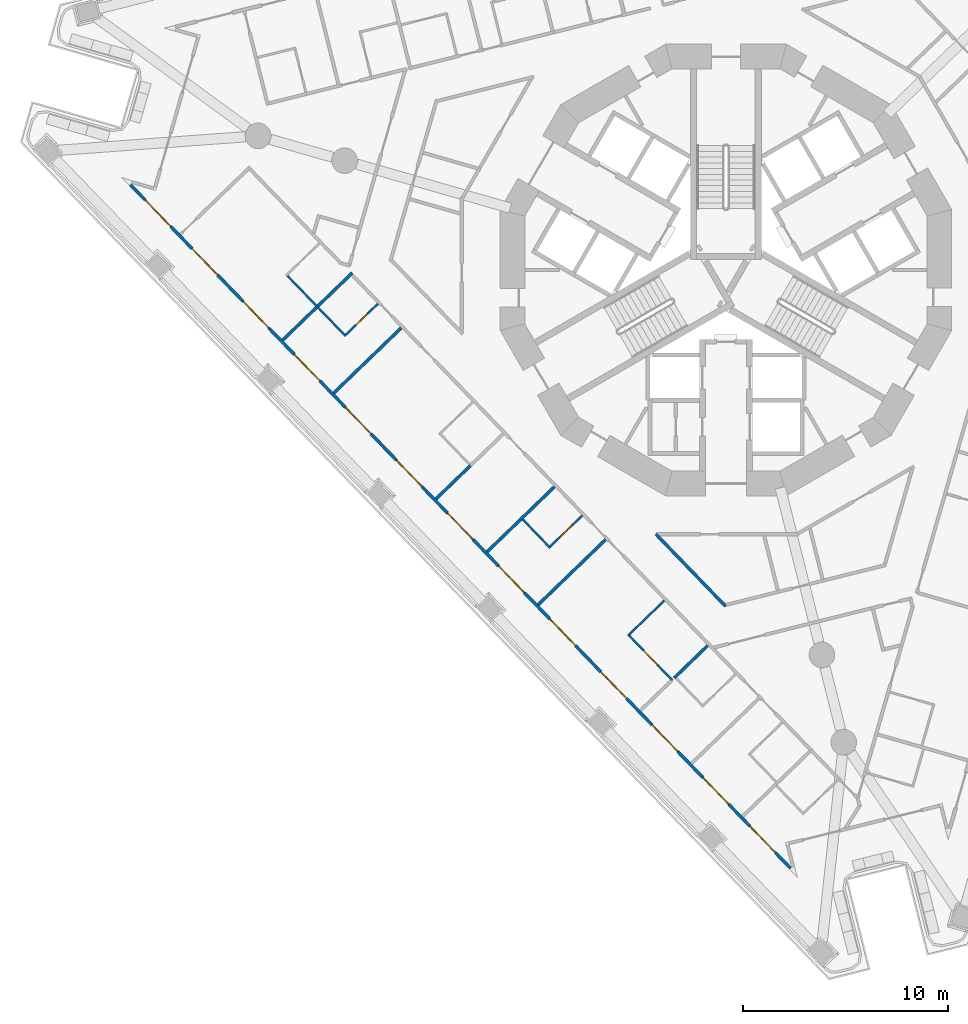
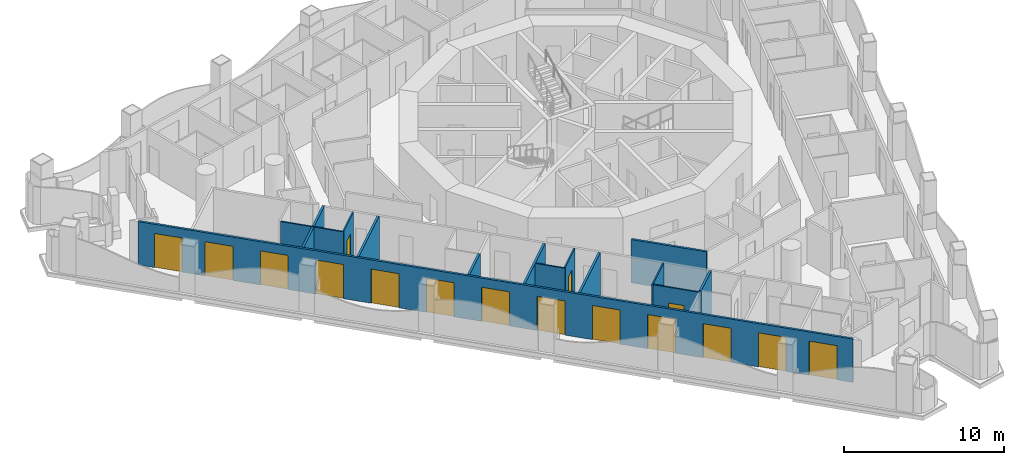
# One storey, part 2 of 20: 16 doors, 14 walls, 16 openings.
"""IFC4 building model written with IfcOpenShell, lengths in metres."""

from ifc_helpers import new_model, si_unit, direction, frame, frame_2d, origin, place, context, subcontext, project, spatial, polyline, rectangle, outline, extrude, material, layer, layer_set, type_object, element, fill, save


model = new_model("IFC4")

# Units and contexts
model_context = context("Model", 3, precision=1e-05, world=origin(), true_north=direction((0.0, 1.0)))
body_context = subcontext(model_context, "Body", "Model", "MODEL_VIEW")
ifc_project = project(units=[si_unit("LENGTHUNIT", "METRE"), si_unit("AREAUNIT", "SQUARE_METRE"), si_unit("VOLUMEUNIT", "CUBIC_METRE"), si_unit("PLANEANGLEUNIT", "RADIAN"), si_unit("MASSUNIT", "GRAM", prefix="KILO")], contexts=[model_context])

# Site, building, storey
site_placement = place(None, origin())
site = spatial("IfcSite", under=ifc_project, at=site_placement, CompositionType="ELEMENT")
building_placement = place(site_placement, origin())
building = spatial("IfcBuilding", under=site, at=building_placement, Name="Trine Commons Tower", CompositionType="ELEMENT")
storey_placement = place(building_placement, frame((0.0, 0.0, 108.89990234375)))
storey = spatial("IfcBuildingStorey", under=building, at=storey_placement, Name="L27", CompositionType="ELEMENT", Elevation=108.89990234375)

# Wall, openings, doors
ifc_material_1 = material(Name="Aluminium-framed insulated wall panel", Category="aluminium")
ifc_layer_1 = layer(ifc_material_1, 0.14990234375)
ifc_layer_set_1 = layer_set([ifc_layer_1], Name="Aluminium-framed insulated wall panel")
wall_type_1 = type_object("IfcWallType", Name="Glazed frame wall 150, EI 60", PredefinedType="SOLIDWALL", material=ifc_layer_set_1)
wall_1_placement = place(storey_placement, frame((83.25048828125, 33.21630859375, 0.0), z_axis=(0.0, 0.0, 1.0), x_axis=(-0.69466017463, 0.719338058067, 0.0)))
wall_1 = element("IfcWall", 1, at=wall_1_placement, inside=storey, type_object=wall_type_1, Name="Glazed frame wall F3", PredefinedType="SOLIDWALL", context=body_context, shape_type="SweptSolid", body=[
    extrude(outline(polyline([(0.1494140625, 0.074951171875), (0.1494140625, -0.074951171875), (46.496826171875, -0.074951171875), (46.496826171875, 0.074951171875), (0.1494140625, 0.074951171875)])), origin(), (0.0, 0.0, 1.0), 3.300048828125),
])
opening_1_placement = place(wall_1_placement, frame((1.194091796875, 0.0, 0.0)))
opening_1 = element("IfcOpeningElement", 2, at=opening_1_placement, cuts=wall_1, Name="Opening BD-3F3-01", PredefinedType="OPENING", context=body_context, shape_type="SweptSolid", body=[
    extrude(rectangle(XDim=1.800048828125, YDim=2.60009765625, at=frame_2d((0.89990234375, 1.300048828125))), frame((0.0, 0.0849609375, 0.0), z_axis=(0.0, -1.0, 0.0), x_axis=(1.0, 0.0, 0.0)), (0.0, 0.0, 1.0), 0.169921875),
])
opening_2_placement = place(wall_1_placement, frame((4.482421875, 0.0, 0.0)))
opening_2 = element("IfcOpeningElement", 3, at=opening_2_placement, cuts=wall_1, Name="Opening BD-3F3-02", PredefinedType="OPENING", context=body_context, shape_type="SweptSolid", body=[
    extrude(rectangle(XDim=1.800048828125, YDim=2.60009765625, at=frame_2d((0.89990234375, 1.300048828125))), frame((0.0, 0.0849609375, 0.0), z_axis=(0.0, -1.0, 0.0), x_axis=(1.0, 0.0, 0.0)), (0.0, 0.0, 1.0), 0.169921875),
])
opening_3_placement = place(wall_1_placement, frame((8.070556640625, 0.0, 0.0)))
opening_3 = element("IfcOpeningElement", 4, at=opening_3_placement, cuts=wall_1, Name="Opening BD-3F3-03", PredefinedType="OPENING", context=body_context, shape_type="SweptSolid", body=[
    extrude(rectangle(XDim=1.800048828125, YDim=2.60009765625, at=frame_2d((0.89990234375, 1.300048828125))), frame((0.0, 0.0849609375, 0.0), z_axis=(0.0, -1.0, 0.0), x_axis=(1.0, 0.0, 0.0)), (0.0, 0.0, 1.0), 0.169921875),
])
opening_4_placement = place(wall_1_placement, frame((11.65869140625, 0.0, 0.0)))
opening_4 = element("IfcOpeningElement", 5, at=opening_4_placement, cuts=wall_1, Name="Opening BD-3F3-04", PredefinedType="OPENING", context=body_context, shape_type="SweptSolid", body=[
    extrude(rectangle(XDim=1.800048828125, YDim=2.60009765625, at=frame_2d((0.89990234375, 1.300048828125))), frame((0.0, 0.0849609375, 0.0), z_axis=(0.0, -1.0, 0.0), x_axis=(1.0, 0.0, 0.0)), (0.0, 0.0, 1.0), 0.169921875),
])
opening_5_placement = place(wall_1_placement, frame((15.246826171875, 0.0, 0.0)))
opening_5 = element("IfcOpeningElement", 6, at=opening_5_placement, cuts=wall_1, Name="Opening BD-3F3-05", PredefinedType="OPENING", context=body_context, shape_type="SweptSolid", body=[
    extrude(rectangle(XDim=1.800048828125, YDim=2.60009765625, at=frame_2d((0.89990234375, 1.300048828125))), frame((0.0, 0.0849609375, 0.0), z_axis=(0.0, -1.0, 0.0), x_axis=(1.0, 0.0, 0.0)), (0.0, 0.0, 1.0), 0.169921875),
])
opening_6_placement = place(wall_1_placement, frame((18.835205078125, 0.0, 0.0)))
opening_6 = element("IfcOpeningElement", 7, at=opening_6_placement, cuts=wall_1, Name="Opening BD-3F3-06", PredefinedType="OPENING", context=body_context, shape_type="SweptSolid", body=[
    extrude(rectangle(XDim=1.800048828125, YDim=2.60009765625, at=frame_2d((0.89990234375, 1.300048828125))), frame((0.0, 0.0849609375, 0.0), z_axis=(0.0, -1.0, 0.0), x_axis=(1.0, 0.0, 0.0)), (0.0, 0.0, 1.0), 0.169921875),
])
opening_7_placement = place(wall_1_placement, frame((22.42333984375, 0.0, 0.0)))
opening_7 = element("IfcOpeningElement", 8, at=opening_7_placement, cuts=wall_1, Name="Opening BD-3F3-07", PredefinedType="OPENING", context=body_context, shape_type="SweptSolid", body=[
    extrude(rectangle(XDim=1.800048828125, YDim=2.60009765625, at=frame_2d((0.89990234375, 1.300048828125))), frame((0.0, 0.0849609375, 0.0), z_axis=(0.0, -1.0, 0.0), x_axis=(1.0, 0.0, 0.0)), (0.0, 0.0, 1.0), 0.169921875),
])
opening_8_placement = place(wall_1_placement, frame((26.011474609375, 0.0, 0.0)))
opening_8 = element("IfcOpeningElement", 9, at=opening_8_placement, cuts=wall_1, Name="Opening BD-3F3-08", PredefinedType="OPENING", context=body_context, shape_type="SweptSolid", body=[
    extrude(rectangle(XDim=1.800048828125, YDim=2.60009765625, at=frame_2d((0.89990234375, 1.300048828125))), frame((0.0, 0.0849609375, 0.0), z_axis=(0.0, -1.0, 0.0), x_axis=(1.0, 0.0, 0.0)), (0.0, 0.0, 1.0), 0.169921875),
])
opening_9_placement = place(wall_1_placement, frame((29.599609375, 0.0, 0.0)))
opening_9 = element("IfcOpeningElement", 10, at=opening_9_placement, cuts=wall_1, Name="Opening BD-3F3-09", PredefinedType="OPENING", context=body_context, shape_type="SweptSolid", body=[
    extrude(rectangle(XDim=1.800048828125, YDim=2.60009765625, at=frame_2d((0.89990234375, 1.300048828125))), frame((0.0, 0.0849609375, 0.0), z_axis=(0.0, -1.0, 0.0), x_axis=(1.0, 0.0, 0.0)), (0.0, 0.0, 1.0), 0.169921875),
])
opening_10_placement = place(wall_1_placement, frame((33.18798828125, 0.0, 0.0)))
opening_10 = element("IfcOpeningElement", 11, at=opening_10_placement, cuts=wall_1, Name="Opening BD-3F3-10", PredefinedType="OPENING", context=body_context, shape_type="SweptSolid", body=[
    extrude(rectangle(XDim=1.800048828125, YDim=2.60009765625, at=frame_2d((0.89990234375, 1.300048828125))), frame((0.0, 0.0849609375, 0.0), z_axis=(0.0, -1.0, 0.0), x_axis=(1.0, 0.0, 0.0)), (0.0, 0.0, 1.0), 0.169921875),
])
opening_11_placement = place(wall_1_placement, frame((36.776123046875, 0.0, 0.0)))
opening_11 = element("IfcOpeningElement", 12, at=opening_11_placement, cuts=wall_1, Name="Opening BD-3F3-11", PredefinedType="OPENING", context=body_context, shape_type="SweptSolid", body=[
    extrude(rectangle(XDim=1.800048828125, YDim=2.60009765625, at=frame_2d((0.89990234375, 1.300048828125))), frame((0.0, 0.0849609375, 0.0), z_axis=(0.0, -1.0, 0.0), x_axis=(1.0, 0.0, 0.0)), (0.0, 0.0, 1.0), 0.169921875),
])
opening_12_placement = place(wall_1_placement, frame((40.3642578125, 0.0, 0.0)))
opening_12 = element("IfcOpeningElement", 13, at=opening_12_placement, cuts=wall_1, Name="Opening BD-3F3-12", PredefinedType="OPENING", context=body_context, shape_type="SweptSolid", body=[
    extrude(rectangle(XDim=1.800048828125, YDim=2.60009765625, at=frame_2d((0.89990234375, 1.300048828125))), frame((0.0, 0.0849609375, 0.0), z_axis=(0.0, -1.0, 0.0), x_axis=(1.0, 0.0, 0.0)), (0.0, 0.0, 1.0), 0.169921875),
])
opening_13_placement = place(wall_1_placement, frame((43.652587890625, 0.0, 0.0)))
opening_13 = element("IfcOpeningElement", 14, at=opening_13_placement, cuts=wall_1, Name="Opening BD-3F3-13", PredefinedType="OPENING", context=body_context, shape_type="SweptSolid", body=[
    extrude(rectangle(XDim=1.800048828125, YDim=2.60009765625, at=frame_2d((0.89990234375, 1.300048828125))), frame((0.0, 0.0849609375, 0.0), z_axis=(0.0, -1.0, 0.0), x_axis=(1.0, 0.0, 0.0)), (0.0, 0.0, 1.0), 0.169921875),
])
ifc_material_2 = material(Name="Anodised aluminium frame with double glazing", Category="aluminium")
door_type_1 = type_object("IfcDoorType", Name="Sliding loggia door 1800x2600", OperationType="SLIDING_TO_LEFT", PredefinedType="DOOR", material=ifc_material_2)
door_1_placement = place(opening_1_placement, origin())
door_1 = element("IfcDoor", 15, at=door_1_placement, inside=storey, type_object=door_type_1, Name="Loggia door F3 1", OperationType="SLIDING_TO_LEFT", OverallHeight=2.60009765625, OverallWidth=1.800048828125, PredefinedType="DOOR", context=body_context, shape_type="SweptSolid", body=[
    extrude(rectangle(XDim=1.800048828125, YDim=2.60009765625, at=frame_2d((0.89990234375, 1.300048828125))), frame((0.0, 0.02490234375, 0.0), z_axis=(0.0, -1.0, 0.0), x_axis=(1.0, 0.0, 0.0)), (0.0, 0.0, 1.0), 0.050048828125),
])
fill(opening_1, door_1)
door_2_placement = place(opening_2_placement, origin())
door_2 = element("IfcDoor", 16, at=door_2_placement, inside=storey, type_object=door_type_1, Name="Loggia door F3 2", OperationType="SLIDING_TO_LEFT", OverallHeight=2.60009765625, OverallWidth=1.800048828125, PredefinedType="DOOR", context=body_context, shape_type="SweptSolid", body=[
    extrude(rectangle(XDim=1.800048828125, YDim=2.60009765625, at=frame_2d((0.89990234375, 1.300048828125))), frame((0.0, 0.02490234375, 0.0), z_axis=(0.0, -1.0, 0.0), x_axis=(1.0, 0.0, 0.0)), (0.0, 0.0, 1.0), 0.050048828125),
])
fill(opening_2, door_2)
door_3_placement = place(opening_3_placement, origin())
door_3 = element("IfcDoor", 17, at=door_3_placement, inside=storey, type_object=door_type_1, Name="Loggia door F3 3", OperationType="SLIDING_TO_LEFT", OverallHeight=2.60009765625, OverallWidth=1.800048828125, PredefinedType="DOOR", context=body_context, shape_type="SweptSolid", body=[
    extrude(rectangle(XDim=1.800048828125, YDim=2.60009765625, at=frame_2d((0.89990234375, 1.300048828125))), frame((0.0, 0.02490234375, 0.0), z_axis=(0.0, -1.0, 0.0), x_axis=(1.0, 0.0, 0.0)), (0.0, 0.0, 1.0), 0.050048828125),
])
fill(opening_3, door_3)
door_4_placement = place(opening_4_placement, origin())
door_4 = element("IfcDoor", 18, at=door_4_placement, inside=storey, type_object=door_type_1, Name="Loggia door F3 4", OperationType="SLIDING_TO_LEFT", OverallHeight=2.60009765625, OverallWidth=1.800048828125, PredefinedType="DOOR", context=body_context, shape_type="SweptSolid", body=[
    extrude(rectangle(XDim=1.800048828125, YDim=2.60009765625, at=frame_2d((0.89990234375, 1.300048828125))), frame((0.0, 0.02490234375, 0.0), z_axis=(0.0, -1.0, 0.0), x_axis=(1.0, 0.0, 0.0)), (0.0, 0.0, 1.0), 0.050048828125),
])
fill(opening_4, door_4)
door_5_placement = place(opening_5_placement, origin())
door_5 = element("IfcDoor", 19, at=door_5_placement, inside=storey, type_object=door_type_1, Name="Loggia door F3 5", OperationType="SLIDING_TO_LEFT", OverallHeight=2.60009765625, OverallWidth=1.800048828125, PredefinedType="DOOR", context=body_context, shape_type="SweptSolid", body=[
    extrude(rectangle(XDim=1.800048828125, YDim=2.60009765625, at=frame_2d((0.89990234375, 1.300048828125))), frame((0.0, 0.02490234375, 0.0), z_axis=(0.0, -1.0, 0.0), x_axis=(1.0, 0.0, 0.0)), (0.0, 0.0, 1.0), 0.050048828125),
])
fill(opening_5, door_5)
door_6_placement = place(opening_6_placement, origin())
door_6 = element("IfcDoor", 20, at=door_6_placement, inside=storey, type_object=door_type_1, Name="Loggia door F3 6", OperationType="SLIDING_TO_LEFT", OverallHeight=2.60009765625, OverallWidth=1.800048828125, PredefinedType="DOOR", context=body_context, shape_type="SweptSolid", body=[
    extrude(rectangle(XDim=1.800048828125, YDim=2.60009765625, at=frame_2d((0.89990234375, 1.300048828125))), frame((0.0, 0.02490234375, 0.0), z_axis=(0.0, -1.0, 0.0), x_axis=(1.0, 0.0, 0.0)), (0.0, 0.0, 1.0), 0.050048828125),
])
fill(opening_6, door_6)
door_7_placement = place(opening_7_placement, origin())
door_7 = element("IfcDoor", 21, at=door_7_placement, inside=storey, type_object=door_type_1, Name="Loggia door F3 7", OperationType="SLIDING_TO_LEFT", OverallHeight=2.60009765625, OverallWidth=1.800048828125, PredefinedType="DOOR", context=body_context, shape_type="SweptSolid", body=[
    extrude(rectangle(XDim=1.800048828125, YDim=2.60009765625, at=frame_2d((0.89990234375, 1.300048828125))), frame((0.0, 0.02490234375, 0.0), z_axis=(0.0, -1.0, 0.0), x_axis=(1.0, 0.0, 0.0)), (0.0, 0.0, 1.0), 0.050048828125),
])
fill(opening_7, door_7)
door_8_placement = place(opening_8_placement, origin())
door_8 = element("IfcDoor", 22, at=door_8_placement, inside=storey, type_object=door_type_1, Name="Loggia door F3 8", OperationType="SLIDING_TO_LEFT", OverallHeight=2.60009765625, OverallWidth=1.800048828125, PredefinedType="DOOR", context=body_context, shape_type="SweptSolid", body=[
    extrude(rectangle(XDim=1.800048828125, YDim=2.60009765625, at=frame_2d((0.89990234375, 1.300048828125))), frame((0.0, 0.02490234375, 0.0), z_axis=(0.0, -1.0, 0.0), x_axis=(1.0, 0.0, 0.0)), (0.0, 0.0, 1.0), 0.050048828125),
])
fill(opening_8, door_8)
door_9_placement = place(opening_9_placement, origin())
door_9 = element("IfcDoor", 23, at=door_9_placement, inside=storey, type_object=door_type_1, Name="Loggia door F3 9", OperationType="SLIDING_TO_LEFT", OverallHeight=2.60009765625, OverallWidth=1.800048828125, PredefinedType="DOOR", context=body_context, shape_type="SweptSolid", body=[
    extrude(rectangle(XDim=1.800048828125, YDim=2.60009765625, at=frame_2d((0.89990234375, 1.300048828125))), frame((0.0, 0.02490234375, 0.0), z_axis=(0.0, -1.0, 0.0), x_axis=(1.0, 0.0, 0.0)), (0.0, 0.0, 1.0), 0.050048828125),
])
fill(opening_9, door_9)
door_10_placement = place(opening_10_placement, origin())
door_10 = element("IfcDoor", 24, at=door_10_placement, inside=storey, type_object=door_type_1, Name="Loggia door F3 10", OperationType="SLIDING_TO_LEFT", OverallHeight=2.60009765625, OverallWidth=1.800048828125, PredefinedType="DOOR", context=body_context, shape_type="SweptSolid", body=[
    extrude(rectangle(XDim=1.800048828125, YDim=2.60009765625, at=frame_2d((0.89990234375, 1.300048828125))), frame((0.0, 0.02490234375, 0.0), z_axis=(0.0, -1.0, 0.0), x_axis=(1.0, 0.0, 0.0)), (0.0, 0.0, 1.0), 0.050048828125),
])
fill(opening_10, door_10)
door_11_placement = place(opening_11_placement, origin())
door_11 = element("IfcDoor", 25, at=door_11_placement, inside=storey, type_object=door_type_1, Name="Loggia door F3 11", OperationType="SLIDING_TO_LEFT", OverallHeight=2.60009765625, OverallWidth=1.800048828125, PredefinedType="DOOR", context=body_context, shape_type="SweptSolid", body=[
    extrude(rectangle(XDim=1.800048828125, YDim=2.60009765625, at=frame_2d((0.89990234375, 1.300048828125))), frame((0.0, 0.02490234375, 0.0), z_axis=(0.0, -1.0, 0.0), x_axis=(1.0, 0.0, 0.0)), (0.0, 0.0, 1.0), 0.050048828125),
])
fill(opening_11, door_11)
door_12_placement = place(opening_12_placement, origin())
door_12 = element("IfcDoor", 26, at=door_12_placement, inside=storey, type_object=door_type_1, Name="Loggia door F3 12", OperationType="SLIDING_TO_LEFT", OverallHeight=2.60009765625, OverallWidth=1.800048828125, PredefinedType="DOOR", context=body_context, shape_type="SweptSolid", body=[
    extrude(rectangle(XDim=1.800048828125, YDim=2.60009765625, at=frame_2d((0.89990234375, 1.300048828125))), frame((0.0, 0.02490234375, 0.0), z_axis=(0.0, -1.0, 0.0), x_axis=(1.0, 0.0, 0.0)), (0.0, 0.0, 1.0), 0.050048828125),
])
fill(opening_12, door_12)
door_13_placement = place(opening_13_placement, origin())
door_13 = element("IfcDoor", 27, at=door_13_placement, inside=storey, type_object=door_type_1, Name="Loggia door F3 13", OperationType="SLIDING_TO_LEFT", OverallHeight=2.60009765625, OverallWidth=1.800048828125, PredefinedType="DOOR", context=body_context, shape_type="SweptSolid", body=[
    extrude(rectangle(XDim=1.800048828125, YDim=2.60009765625, at=frame_2d((0.89990234375, 1.300048828125))), frame((0.0, 0.02490234375, 0.0), z_axis=(0.0, -1.0, 0.0), x_axis=(1.0, 0.0, 0.0)), (0.0, 0.0, 1.0), 0.050048828125),
])
fill(opening_13, door_13)

# Walls
ifc_material_3 = material(Name="Gypsum plasterboard on steel stud", Category="steel")
ifc_layer_2 = layer(ifc_material_3, 0.14990234375)
ifc_layer_set_2 = layer_set([ifc_layer_2], Name="Gypsum plasterboard on steel stud")
wall_type_2 = type_object("IfcWallType", Name="Unit and corridor wall 150 mm, EI 60", PredefinedType="PARTITIONING", material=ifc_layer_set_2)
wall_2_placement = place(storey_placement, frame((58.37890625, 59.079833984375, 0.0), z_axis=(0.0, 0.0, 1.0), x_axis=(0.719355135732, 0.694642489844, 0.0)))
element("IfcWall", 28, at=wall_2_placement, inside=storey, type_object=wall_type_2, Name="Partition 006", PredefinedType="PARTITIONING", context=body_context, shape_type="SweptSolid", body=[
    extrude(rectangle(XDim=4.72216796875, YDim=0.14990234375, at=frame_2d((2.361083984375, 0.0))), origin(), (0.0, 0.0, 1.0), 3.300048828125),
])
wall_3_placement = place(storey_placement, frame((60.871826171875, 56.498779296875, 0.0), z_axis=(0.0, 0.0, 1.0), x_axis=(0.719360056376, 0.694637394106, 0.0)))
element("IfcWall", 29, at=wall_3_placement, inside=storey, type_object=wall_type_2, Name="Partition 014", PredefinedType="PARTITIONING", context=body_context, shape_type="SweptSolid", body=[
    extrude(rectangle(XDim=4.572265625, YDim=0.14990234375, at=frame_2d((2.2861328125, 0.0))), origin(), (0.0, 0.0, 1.0), 3.300048828125),
])
wall_4_placement = place(storey_placement, frame((65.856689453125, 51.335693359375, 0.0), z_axis=(0.0, 0.0, 1.0), x_axis=(0.719352404425, 0.694645318308, 0.0)))
element("IfcWall", 30, at=wall_4_placement, inside=storey, type_object=wall_type_2, Name="Partition 030", PredefinedType="PARTITIONING", context=body_context, shape_type="SweptSolid", body=[
    extrude(rectangle(XDim=2.401123046875, YDim=0.14990234375, at=frame_2d((1.20068359375, 0.0))), origin(), (0.0, 0.0, 1.0), 3.300048828125),
])
wall_5_placement = place(storey_placement, frame((68.348876953125, 48.7548828125, 0.0), z_axis=(0.0, 0.0, 1.0), x_axis=(0.719356389488, 0.694641191482, 0.0)))
element("IfcWall", 31, at=wall_5_placement, inside=storey, type_object=wall_type_2, Name="Partition 042", PredefinedType="PARTITIONING", context=body_context, shape_type="SweptSolid", body=[
    extrude(rectangle(XDim=4.573486328125, YDim=0.14990234375, at=frame_2d((2.28662109375, 0.0))), origin(), (0.0, 0.0, 1.0), 3.300048828125),
])
wall_6_placement = place(storey_placement, frame((70.841796875, 46.173828125, 0.0), z_axis=(0.0, 0.0, 1.0), x_axis=(0.719279103552, 0.694721218327, 0.0)))
element("IfcWall", 32, at=wall_6_placement, inside=storey, type_object=wall_type_2, Name="Partition 048", PredefinedType="PARTITIONING", context=body_context, shape_type="SweptSolid", body=[
    extrude(rectangle(XDim=4.572998046875, YDim=0.14990234375, at=frame_2d((2.28662109375, 0.0))), origin(), (0.0, 0.0, 1.0), 3.300048828125),
])
wall_7_placement = place(storey_placement, frame((76.587890625, 49.613037109375, 0.0), z_axis=(0.0, 0.0, 1.0), x_axis=(0.694768247914, -0.719233676694, 0.0)))
element("IfcWall", 33, at=wall_7_placement, inside=storey, type_object=wall_type_2, Name="Partition 061", PredefinedType="PARTITIONING", context=body_context, shape_type="SweptSolid", body=[
    extrude(rectangle(XDim=4.8896484375, YDim=0.14990234375, at=frame_2d((2.44482421875, 0.0))), origin(), (0.0, 0.0, 1.0), 3.300048828125),
])
wall_8_placement = place(storey_placement, frame((77.47998046875, 42.6083984375, 0.0), z_axis=(0.0, 0.0, 1.0), x_axis=(0.719397760928, 0.694598345501, 0.0)))
element("IfcWall", 34, at=wall_8_placement, inside=storey, type_object=wall_type_2, Name="Partition 065", PredefinedType="PARTITIONING", context=body_context, shape_type="SweptSolid", body=[
    extrude(rectangle(XDim=2.274169921875, YDim=0.14990234375, at=frame_2d((1.13720703125, 0.0))), origin(), (0.0, 0.0, 1.0), 3.300048828125),
])
ifc_layer_3 = layer(ifc_material_3, 0.10009765625)
ifc_layer_set_3 = layer_set([ifc_layer_3], Name="Gypsum plasterboard on steel stud")
wall_type_3 = type_object("IfcWallType", Name="Unit partition 100 mm, no rating", PredefinedType="PARTITIONING", material=ifc_layer_set_3)
wall_9_placement = place(storey_placement, frame((58.608642578125, 62.220947265625, 0.0), z_axis=(0.0, 0.0, 1.0), x_axis=(0.694702903984, -0.71929679215, 0.0)))
element("IfcWall", 35, at=wall_9_placement, inside=storey, type_object=wall_type_3, Name="Partition 008", PredefinedType="PARTITIONING", context=body_context, shape_type="SweptSolid", body=[
    extrude(rectangle(XDim=4.099853515625, YDim=0.10009765625, at=frame_2d((2.0498046875, 0.0))), origin(), (0.0, 0.0, 1.0), 3.300048828125),
])

# Wall, opening, door
wall_10_placement = place(storey_placement, frame((61.4580078125, 59.3427734375, 0.0), z_axis=(0.0, 0.0, 1.0), x_axis=(0.719343447932, 0.694654593245, 0.0)))
wall_10 = element("IfcWall", 36, at=wall_10_placement, inside=storey, type_object=wall_type_3, Name="Partition 016", PredefinedType="PARTITIONING", context=body_context, shape_type="SweptSolid", body=[
    extrude(rectangle(XDim=2.175537109375, YDim=0.10009765625, at=frame_2d((1.087890625, 0.0))), origin(), (0.0, 0.0, 1.0), 3.300048828125),
])
opening_14_placement = place(wall_10_placement, frame((0.687744140625, 0.0, 0.0)))
opening_14 = element("IfcOpeningElement", 37, at=opening_14_placement, cuts=wall_10, Name="Opening D-3C66", PredefinedType="OPENING", context=body_context, shape_type="SweptSolid", body=[
    extrude(rectangle(XDim=0.800048828125, YDim=2.10009765625, at=frame_2d((0.39990234375, 1.050048828125))), frame((0.0, 0.06005859375, 0.0), z_axis=(0.0, -1.0, 0.0), x_axis=(1.0, 0.0, 0.0)), (0.0, 0.0, 1.0), 0.1201171875),
])
ifc_material_4 = material(Name="Painted timber", Category="wood")
door_type_2 = type_object("IfcDoorType", Name="Internal door 800 x 2100, NOT RATED", OperationType="NOTDEFINED", PredefinedType="DOOR", material=ifc_material_4)
door_14_placement = place(opening_14_placement, frame((0.800048828125, 0.0, 0.0), z_axis=(0.0, 0.0, 1.0), x_axis=(-1.0, 0.0, 0.0)))
door_14 = element("IfcDoor", 38, at=door_14_placement, inside=storey, type_object=door_type_2, Name="Door D-3C66", OperationType="SINGLE_SWING_RIGHT", OverallHeight=2.10009765625, OverallWidth=0.800048828125, PredefinedType="DOOR", context=body_context, shape_type="SweptSolid", body=[
    extrude(rectangle(XDim=0.800048828125, YDim=2.10009765625, at=frame_2d((0.39990234375, 1.050048828125))), frame((0.0, 0.02490234375, 0.0), z_axis=(0.0, -1.0, 0.0), x_axis=(1.0, 0.0, 0.0)), (0.0, 0.0, 1.0), 0.050048828125),
])
fill(opening_14, door_14)

# Wall
wall_11_placement = place(storey_placement, frame((70.090087890625, 50.33203125, 0.0), z_axis=(0.0, 0.0, 1.0), x_axis=(0.694700856484, -0.719298769636, 0.0)))
element("IfcWall", 39, at=wall_11_placement, inside=storey, type_object=wall_type_3, Name="Partition 046", PredefinedType="PARTITIONING", context=body_context, shape_type="SweptSolid", body=[
    extrude(rectangle(XDim=1.925537109375, YDim=0.10009765625, at=frame_2d((0.962890625, 0.0))), origin(), (0.0, 0.0, 1.0), 3.300048828125),
])

# Wall, opening, door
wall_12_placement = place(storey_placement, frame((71.428955078125, 49.017578125, 0.0), z_axis=(0.0, 0.0, 1.0), x_axis=(0.71918093231, 0.694822845481, 0.0)))
wall_12 = element("IfcWall", 40, at=wall_12_placement, inside=storey, type_object=wall_type_3, Name="Partition 050", PredefinedType="PARTITIONING", context=body_context, shape_type="SweptSolid", body=[
    extrude(rectangle(XDim=2.175048828125, YDim=0.10009765625, at=frame_2d((1.08740234375, 0.0))), origin(), (0.0, 0.0, 1.0), 3.300048828125),
])
opening_15_placement = place(wall_12_placement, frame((0.6875, 0.0, 0.0)))
opening_15 = element("IfcOpeningElement", 41, at=opening_15_placement, cuts=wall_12, Name="Opening D-3C64", PredefinedType="OPENING", context=body_context, shape_type="SweptSolid", body=[
    extrude(rectangle(XDim=0.800048828125, YDim=2.10009765625, at=frame_2d((0.39990234375, 1.050048828125))), frame((0.0, 0.06005859375, 0.0), z_axis=(0.0, -1.0, 0.0), x_axis=(1.0, 0.0, 0.0)), (0.0, 0.0, 1.0), 0.1201171875),
])
door_15_placement = place(opening_15_placement, frame((0.800048828125, 0.0, 0.0), z_axis=(0.0, 0.0, 1.0), x_axis=(-1.0, 0.0, 0.0)))
door_15 = element("IfcDoor", 42, at=door_15_placement, inside=storey, type_object=door_type_2, Name="Door D-3C64", OperationType="SINGLE_SWING_RIGHT", OverallHeight=2.10009765625, OverallWidth=0.800048828125, PredefinedType="DOOR", context=body_context, shape_type="SweptSolid", body=[
    extrude(rectangle(XDim=0.800048828125, YDim=2.10009765625, at=frame_2d((0.39990234375, 1.050048828125))), frame((0.0, 0.02490234375, 0.0), z_axis=(0.0, -1.0, 0.0), x_axis=(1.0, 0.0, 0.0)), (0.0, 0.0, 1.0), 0.050048828125),
])
fill(opening_15, door_15)

# Wall
wall_13_placement = place(storey_placement, frame((75.217041015625, 44.663330078125, 0.0), z_axis=(0.0, 0.0, 1.0), x_axis=(0.719620691494, 0.694367381415, 0.0)))
element("IfcWall", 43, at=wall_13_placement, inside=storey, type_object=wall_type_3, Name="Partition 056", PredefinedType="PARTITIONING", context=body_context, shape_type="SweptSolid", body=[
    extrude(rectangle(XDim=2.474853515625, YDim=0.10009765625, at=frame_2d((1.2373046875, 0.0))), origin(), (0.0, 0.0, 1.0), 3.300048828125),
])

# Wall, opening, door
wall_14_placement = place(storey_placement, frame((75.28759765625, 44.662109375, 0.0), z_axis=(0.0, 0.0, 1.0), x_axis=(0.694713575766, -0.719286485099, 0.0)))
wall_14 = element("IfcWall", 44, at=wall_14_placement, inside=storey, type_object=wall_type_3, Name="Partition 057", PredefinedType="PARTITIONING", context=body_context, shape_type="SweptSolid", body=[
    extrude(rectangle(XDim=3.00048828125, YDim=0.10009765625, at=frame_2d((1.500244140625, 0.0))), origin(), (0.0, 0.0, 1.0), 3.300048828125),
])
opening_16_placement = place(wall_14_placement, frame((1.0, 0.0, 0.0)))
opening_16 = element("IfcOpeningElement", 45, at=opening_16_placement, cuts=wall_14, Name="Opening D-3C63", PredefinedType="OPENING", context=body_context, shape_type="SweptSolid", body=[
    extrude(rectangle(XDim=1.0, YDim=2.10009765625, at=frame_2d((0.5, 1.050048828125))), frame((0.0, 0.06005859375, 0.0), z_axis=(0.0, -1.0, 0.0), x_axis=(1.0, 0.0, 0.0)), (0.0, 0.0, 1.0), 0.1201171875),
])
door_type_3 = type_object("IfcDoorType", Name="Internal door 1000 x 2100, NOT RATED", OperationType="NOTDEFINED", PredefinedType="DOOR", material=ifc_material_4)
door_16_placement = place(opening_16_placement, frame((1.0, 0.0, 0.0), z_axis=(0.0, 0.0, 1.0), x_axis=(-1.0, 0.0, 0.0)))
door_16 = element("IfcDoor", 46, at=door_16_placement, inside=storey, type_object=door_type_3, Name="Door D-3C63", OperationType="SINGLE_SWING_LEFT", OverallHeight=2.10009765625, OverallWidth=1.0, PredefinedType="DOOR", context=body_context, shape_type="SweptSolid", body=[
    extrude(rectangle(XDim=1.0, YDim=2.10009765625, at=frame_2d((0.5, 1.050048828125))), frame((0.0, 0.02490234375, 0.0), z_axis=(0.0, -1.0, 0.0), x_axis=(1.0, 0.0, 0.0)), (0.0, 0.0, 1.0), 0.050048828125),
])
fill(opening_16, door_16)

save(model, "model.ifc")
